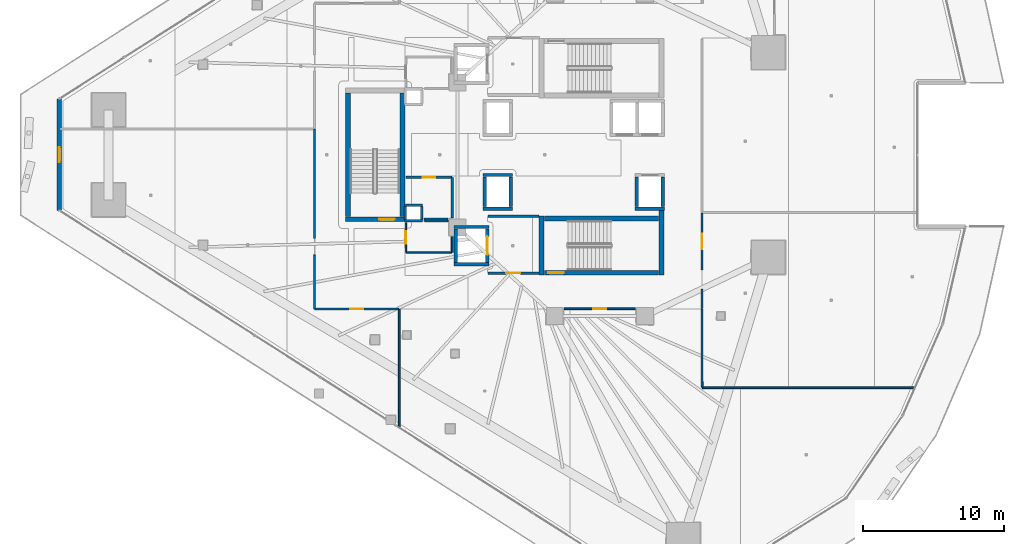
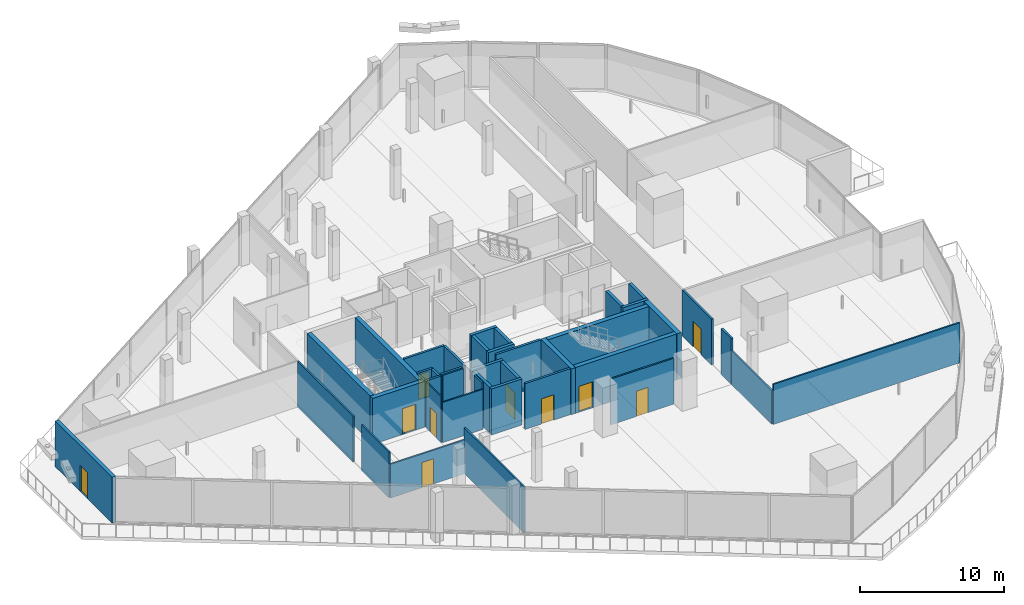
# One storey, part 29 of 45: 41 walls, 10 doors, 10 openings.
"""IFC4 building model written with IfcOpenShell, lengths in metres."""

from ifc_helpers import new_model, si_unit, direction, frame, frame_2d, origin, place, context, subcontext, project, spatial, rectangle, extrude, material, layer, layer_set, type_object, element, fill, save


model = new_model("IFC4")

# Units and contexts
model_context = context("Model", 3, precision=1e-05, world=origin(), true_north=direction((0.0, 1.0)))
body_context = subcontext(model_context, "Body", "Model", "MODEL_VIEW")
ifc_project = project(units=[si_unit("LENGTHUNIT", "METRE"), si_unit("AREAUNIT", "SQUARE_METRE"), si_unit("VOLUMEUNIT", "CUBIC_METRE"), si_unit("PLANEANGLEUNIT", "RADIAN"), si_unit("MASSUNIT", "GRAM", prefix="KILO")], contexts=[model_context])

# Site, building, storey
site_placement = place(None, origin())
site = spatial("IfcSite", under=ifc_project, at=site_placement, CompositionType="ELEMENT")
building_placement = place(site_placement, origin())
building = spatial("IfcBuilding", under=site, at=building_placement, Name="Qorvath Tower", CompositionType="ELEMENT")
storey_placement = place(building_placement, frame((0.0, 0.0, 95.39990234375)))
storey = spatial("IfcBuildingStorey", under=building, at=storey_placement, Name="L21", CompositionType="ELEMENT", Elevation=95.39990234375)

# Walls
ifc_material_1 = material(Name="Gypsum shaftliner on steel studs", Category="steel")
ifc_layer_1 = layer(ifc_material_1, 0.179931640625)
ifc_layer_set_1 = layer_set([ifc_layer_1], Name="FW-LOBBY")
wall_type_1 = type_object("IfcWallType", Name="FW-LOBBY", PredefinedType="PARTITIONING", material=ifc_layer_set_1)
for number, where, z_axis, x_axis, name in (
    (1, (-32.989990234375, -4.675048828125, 0.0), (0.0, 0.0, 1.0), (-1.0, 0.0, 0.0), "MEP Riser Shaft Enclosure Wall S-L21-S"),
    (2, (-34.260009765625, -3.594970703125, 0.0), (0.0, 0.0, 1.0), (1.0, 0.0, 0.0), "MEP Riser Shaft Enclosure Wall S-L21-N"),
):
    element("IfcWall", number, at=place(storey_placement, frame(where, z_axis=z_axis, x_axis=x_axis)), inside=storey, type_object=wall_type_1, Name=name, PredefinedType="PARTITIONING", context=body_context, shape_type="SweptSolid", body=[
        extrude(rectangle(XDim=1.27001953125, YDim=0.179931640625, at=frame_2d((0.635009765625, 0.0))), origin(), (0.0, 0.0, 1.0), 3.900146484375),
    ])
for number, where, z_axis, x_axis, name in (
    (3, (-34.205078125, -4.610107421875, 0.0), (0.0, 0.0, 1.0), (0.0, 1.0, 0.0), "MEP Riser Shaft Enclosure Wall S-L21-W"),
    (4, (-33.044921875, -3.659912109375, 0.0), (0.0, 0.0, 1.0), (0.0, -1.0, 0.0), "MEP Riser Shaft Enclosure Wall S-L21-E"),
):
    element("IfcWall", number, at=place(storey_placement, frame(where, z_axis=z_axis, x_axis=x_axis)), inside=storey, type_object=wall_type_1, Name=name, PredefinedType="PARTITIONING", context=body_context, shape_type="SweptSolid", body=[
        extrude(rectangle(XDim=0.9501953125, YDim=0.179931640625, at=frame_2d((0.47509765625, 0.0))), origin(), (0.0, 0.0, 1.0), 3.900146484375),
    ])

# Wall, opening, door
wall_1_placement = place(storey_placement, frame((-28.35498046875, -8.39990234375, 0.0), z_axis=(0.0, 0.0, 1.0), x_axis=(1.0, 0.0, 0.0)))
wall_1 = element("IfcWall", 5, at=wall_1_placement, inside=storey, type_object=wall_type_1, Name="Interior Partition IW-T1-L21-003", PredefinedType="PARTITIONING", context=body_context, shape_type="SweptSolid", body=[
    extrude(rectangle(XDim=3.6220703125, YDim=0.179931640625, at=frame_2d((1.81103515625, 0.0))), origin(), (0.0, 0.0, 1.0), 3.900146484375),
])
opening_1_placement = place(wall_1_placement, frame((1.31103515625, 0.0, 0.0)))
opening_1 = element("IfcOpeningElement", 6, at=opening_1_placement, cuts=wall_1, Name="Opening D-T1-L21-10", PredefinedType="OPENING", context=body_context, shape_type="SweptSolid", body=[
    extrude(rectangle(XDim=1.0, YDim=2.14990234375, at=frame_2d((0.5, 1.074951171875))), frame((0.0, 0.10009765625, 0.0), z_axis=(0.0, -1.0, 0.0), x_axis=(1.0, 0.0, 0.0)), (0.0, 0.0, 1.0), 0.199951171875),
])
ifc_material_2 = material(Name="Painted galvanised hollow metal", Category="steel")
door_type_1 = type_object("IfcDoorType", Name="FD-60", OperationType="NOTDEFINED", PredefinedType="DOOR", material=ifc_material_2)
door_1_placement = place(opening_1_placement, origin())
door_1 = element("IfcDoor", 7, at=door_1_placement, inside=storey, type_object=door_type_1, Name="Lobby Fire Service Elevator South Door D-T1-L21-10", OperationType="SINGLE_SWING_LEFT", OverallHeight=2.14990234375, OverallWidth=1.0, PredefinedType="DOOR", context=body_context, shape_type="SweptSolid", body=[
    extrude(rectangle(XDim=1.0, YDim=2.14990234375, at=frame_2d((0.5, 1.074951171875))), frame((0.0, 0.02490234375, 0.0), z_axis=(0.0, -1.0, 0.0), x_axis=(1.0, 0.0, 0.0)), (0.0, 0.0, 1.0), 0.050048828125),
])
fill(opening_1, door_1)

# Walls
wall_2_placement = place(storey_placement, frame((-24.73291015625, -4.35009765625, 0.0), z_axis=(0.0, 0.0, 1.0), x_axis=(-1.0, 0.0, 0.0)))
element("IfcWall", 8, at=wall_2_placement, inside=storey, type_object=wall_type_1, Name="Interior Partition IW-T1-L21-004", PredefinedType="PARTITIONING", context=body_context, shape_type="SweptSolid", body=[
    extrude(rectangle(XDim=3.6220703125, YDim=0.179931640625, at=frame_2d((1.81103515625, 0.0))), origin(), (0.0, 0.0, 1.0), 3.900146484375),
])
wall_3_placement = place(storey_placement, frame((-32.8798828125, -4.56005859375, 0.0), z_axis=(0.0, 0.0, 1.0), x_axis=(1.0, 0.0, 0.0)))
element("IfcWall", 9, at=wall_3_placement, inside=storey, type_object=wall_type_1, Name="Interior Partition IW-T1-L21-013", PredefinedType="PARTITIONING", context=body_context, shape_type="SweptSolid", body=[
    extrude(rectangle(XDim=1.71484375, YDim=0.179931640625, at=frame_2d((0.857421875, 0.0))), origin(), (0.0, 0.0, 1.0), 3.900146484375),
])
wall_4_placement = place(storey_placement, frame((-30.8798828125, -4.485107421875, 0.0), z_axis=(0.0, 0.0, 1.0), x_axis=(0.0, 1.0, 0.0)))
element("IfcWall", 10, at=wall_4_placement, inside=storey, type_object=wall_type_1, Name="Interior Partition IW-T1-L21-014", PredefinedType="PARTITIONING", context=body_context, shape_type="SweptSolid", body=[
    extrude(rectangle(XDim=2.860107421875, YDim=0.179931640625, at=frame_2d((1.43017578125, 0.0))), origin(), (0.0, 0.0, 1.0), 3.900146484375),
])

# Wall, opening, door
wall_5_placement = place(storey_placement, frame((-30.90478515625, -1.60009765625, 0.0), z_axis=(0.0, 0.0, 1.0), x_axis=(-1.0, 0.0, 0.0)))
wall_5 = element("IfcWall", 11, at=wall_5_placement, inside=storey, type_object=wall_type_1, Name="Interior Partition IW-T1-L21-015", PredefinedType="PARTITIONING", context=body_context, shape_type="SweptSolid", body=[
    extrude(rectangle(XDim=3.25, YDim=0.179931640625, at=frame_2d((1.625, 0.0))), origin(), (0.0, 0.0, 1.0), 3.900146484375),
])
opening_2_placement = place(wall_5_placement, frame((1.18505859375, 0.0, 0.0)))
opening_2 = element("IfcOpeningElement", 12, at=opening_2_placement, cuts=wall_5, Name="Opening D-T1-L21-03", PredefinedType="OPENING", context=body_context, shape_type="SweptSolid", body=[
    extrude(rectangle(XDim=0.8798828125, YDim=2.10009765625, at=frame_2d((0.43994140625, 1.050048828125))), frame((0.0, 0.10009765625, 0.0), z_axis=(0.0, -1.0, 0.0), x_axis=(1.0, 0.0, 0.0)), (0.0, 0.0, 1.0), 0.199951171875),
])
ifc_material_3 = material(Name="Painted galvanised hollow metal", Category="steel")
door_type_2 = type_object("IfcDoorType", Name="FD-60N", OperationType="NOTDEFINED", PredefinedType="DOOR", material=ifc_material_3)
door_2_placement = place(opening_2_placement, origin())
door_2 = element("IfcDoor", 13, at=door_2_placement, inside=storey, type_object=door_type_2, Name="Core electrical and cleaner room L21 Door D-T1-L21-03", OperationType="SINGLE_SWING_RIGHT", OverallHeight=2.10009765625, OverallWidth=0.8798828125, PredefinedType="DOOR", context=body_context, shape_type="SweptSolid", body=[
    extrude(rectangle(XDim=0.8798828125, YDim=2.10009765625, at=frame_2d((0.43994140625, 1.050048828125))), frame((0.0, 0.02490234375, 0.0), z_axis=(0.0, -1.0, 0.0), x_axis=(1.0, 0.0, 0.0)), (0.0, 0.0, 1.0), 0.050048828125),
])
fill(opening_2, door_2)

ifc_material_4 = material(Name="Double acoustic gypsum board on steel studs", Category="steel")
ifc_layer_2 = layer(ifc_material_4, 0.159912109375)
ifc_layer_set_2 = layer_set([ifc_layer_2], Name="IW-ACOUSTIC-160")
wall_type_2 = type_object("IfcWallType", Name="IW-ACOUSTIC-160", PredefinedType="PARTITIONING", material=ifc_layer_set_2)
wall_6_placement = place(storey_placement, frame((-13.14208984375, -4.127685546875, 0.0), z_axis=(0.0, 0.0, 1.0), x_axis=(0.001559405529, -0.999998784126, 0.0)))
wall_6 = element("IfcWall", 14, at=wall_6_placement, inside=storey, type_object=wall_type_2, Name="Interior Partition IW-T1-L21-023", PredefinedType="PARTITIONING", context=body_context, shape_type="SweptSolid", body=[
    extrude(rectangle(XDim=4.070556640625, YDim=0.159912109375, at=frame_2d((2.03515625, 0.0))), origin(), (0.0, 0.0, 1.0), 3.900146484375),
])
opening_3_placement = place(wall_6_placement, frame((1.4853515625, 0.0, 0.0)))
opening_3 = element("IfcOpeningElement", 15, at=opening_3_placement, cuts=wall_6, Name="Opening D-T1-L21-11", PredefinedType="OPENING", context=body_context, shape_type="SweptSolid", body=[
    extrude(rectangle(XDim=1.10009765625, YDim=2.14990234375, at=frame_2d((0.550048828125, 1.074951171875))), frame((0.0, 0.08984375, 0.0), z_axis=(0.0, -1.0, 0.0), x_axis=(1.0, 0.0, 0.0)), (0.0, 0.0, 1.0), 0.179931640625),
])
ifc_material_5 = material(Name="Anodised aluminium acoustic framed glass", Category="aluminium")
door_type_3 = type_object("IfcDoorType", Name="D-03", OperationType="NOTDEFINED", PredefinedType="DOOR", material=ifc_material_5)
door_3_placement = place(opening_3_placement, origin())
door_3 = element("IfcDoor", 16, at=door_3_placement, inside=storey, type_object=door_type_3, Name="L21-03 Digital Visualization Suite Door D-T1-L21-11", OperationType="SINGLE_SWING_RIGHT", OverallHeight=2.14990234375, OverallWidth=1.10009765625, PredefinedType="DOOR", context=body_context, shape_type="SweptSolid", body=[
    extrude(rectangle(XDim=1.10009765625, YDim=2.14990234375, at=frame_2d((0.550048828125, 1.074951171875))), frame((0.0, 0.02490234375, 0.0), z_axis=(0.0, -1.0, 0.0), x_axis=(1.0, 0.0, 0.0)), (0.0, 0.0, 1.0), 0.050048828125),
])
fill(opening_3, door_3)

# Walls
wall_7_placement = place(storey_placement, frame((-13.133544921875, -9.527099609375, 0.0), z_axis=(0.0, 0.0, 1.0), x_axis=(0.001563040814, -0.999998778451, 0.0)))
element("IfcWall", 17, at=wall_7_placement, inside=storey, type_object=wall_type_2, Name="Interior Partition IW-T1-L21-024", PredefinedType="PARTITIONING", context=body_context, shape_type="SweptSolid", body=[
    extrude(rectangle(XDim=1.40576171875, YDim=0.159912109375, at=frame_2d((0.702880859375, 0.0))), origin(), (0.0, 0.0, 1.0), 3.900146484375),
])
ifc_material_6 = material(Name="Gypsum board on metal studs with mineral wool", Category="gypsum")
ifc_layer_3 = layer(ifc_material_6, 0.125)
ifc_layer_set_3 = layer_set([ifc_layer_3], Name="IW-PART-125")
wall_type_3 = type_object("IfcWallType", Name="IW-PART-125", PredefinedType="PARTITIONING", material=ifc_layer_set_3)
wall_8_placement = place(storey_placement, frame((1.906005859375, -16.548583984375, 0.0), z_axis=(0.0, 0.0, 1.0), x_axis=(-0.99999999352, 0.000113843351, 0.0)))
element("IfcWall", 18, at=wall_8_placement, inside=storey, type_object=wall_type_3, Name="Interior Partition IW-T1-L21-018", PredefinedType="PARTITIONING", context=body_context, shape_type="SweptSolid", body=[
    extrude(rectangle(XDim=15.01171875, YDim=0.125, at=frame_2d((7.505859375, 0.0))), origin(), (0.0, 0.0, 1.0), 3.4130859375),
])
wall_9_placement = place(storey_placement, frame((-13.130615234375, -16.52197265625, 0.0), z_axis=(0.0, 0.0, 1.0), x_axis=(-0.002062303644, 0.99999787345, 0.0)))
element("IfcWall", 19, at=wall_9_placement, inside=storey, type_object=wall_type_3, Name="Interior Partition IW-T1-L21-019", PredefinedType="PARTITIONING", context=body_context, shape_type="SweptSolid", body=[
    extrude(rectangle(XDim=5.56396484375, YDim=0.125, at=frame_2d((2.781982421875, 0.0))), origin(), (0.0, 0.0, 1.0), 2.8701171875),
])

# Wall, opening, door
wall_10_placement = place(storey_placement, frame((-17.864990234375, -10.934814453125, 0.0), z_axis=(0.0, 0.0, 1.0), x_axis=(-0.999999989566, 0.000144459959, 0.0)))
wall_10 = element("IfcWall", 20, at=wall_10_placement, inside=storey, type_object=wall_type_3, Name="Interior Partition IW-T1-L21-020", PredefinedType="PARTITIONING", context=body_context, shape_type="SweptSolid", body=[
    extrude(rectangle(XDim=5.070068359375, YDim=0.125, at=frame_2d((2.53515625, 0.0))), origin(), (0.0, 0.0, 1.0), 3.900146484375),
])
opening_4_placement = place(wall_10_placement, frame((2.06005859375, 0.0, 0.0)))
opening_4 = element("IfcOpeningElement", 21, at=opening_4_placement, cuts=wall_10, Name="Opening D-T1-L21-04", PredefinedType="OPENING", context=body_context, shape_type="SweptSolid", body=[
    extrude(rectangle(XDim=0.949951171875, YDim=2.14990234375, at=frame_2d((0.47509765625, 1.074951171875))), frame((0.0, 0.072509765625, 0.0), z_axis=(0.0, -1.0, 0.0), x_axis=(1.0, 0.0, 0.0)), (0.0, 0.0, 1.0), 0.14501953125),
])
ifc_material_7 = material(Name="Solid-core American white oak veneer", Category="wood")
door_type_4 = type_object("IfcDoorType", Name="D-01", OperationType="NOTDEFINED", PredefinedType="DOOR", material=ifc_material_7)
door_4_placement = place(opening_4_placement, origin())
door_4 = element("IfcDoor", 22, at=door_4_placement, inside=storey, type_object=door_type_4, Name="L21-02 Project Collaboration Workspace Door D-T1-L21-04", OperationType="SINGLE_SWING_LEFT", OverallHeight=2.14990234375, OverallWidth=0.949951171875, PredefinedType="DOOR", context=body_context, shape_type="SweptSolid", body=[
    extrude(rectangle(XDim=0.949951171875, YDim=2.14990234375, at=frame_2d((0.47509765625, 1.074951171875))), frame((0.0, 0.02490234375, 0.0), z_axis=(0.0, -1.0, 0.0), x_axis=(1.0, 0.0, 0.0)), (0.0, 0.0, 1.0), 0.050048828125),
])
fill(opening_4, door_4)

# Wall
wall_11_placement = place(storey_placement, frame((-34.64990234375, -10.98291015625, 0.0), z_axis=(0.0, 0.0, 1.0), x_axis=(0.0, -1.0, 0.0)))
element("IfcWall", 23, at=wall_11_placement, inside=storey, type_object=wall_type_3, Name="Interior Partition IW-T1-L21-021", PredefinedType="PARTITIONING", context=body_context, shape_type="SweptSolid", body=[
    extrude(rectangle(XDim=8.325439453125, YDim=0.125, at=frame_2d((4.16259765625, 0.0))), origin(), (0.0, 0.0, 1.0), 3.900146484375),
])

# Wall, opening, door
wall_12_placement = place(storey_placement, frame((-40.633056640625, -10.9580078125, 0.0), z_axis=(0.0, 0.0, 1.0), x_axis=(1.0, 0.0, 0.0)))
wall_12 = element("IfcWall", 24, at=wall_12_placement, inside=storey, type_object=wall_type_3, Name="Interior Partition IW-T1-L21-032", PredefinedType="PARTITIONING", context=body_context, shape_type="SweptSolid", body=[
    extrude(rectangle(XDim=5.949951171875, YDim=0.125, at=frame_2d((2.97509765625, 0.0))), origin(), (0.0, 0.0, 1.0), 2.8701171875),
])
opening_5_placement = place(wall_12_placement, frame((2.5, 0.0, 0.0)))
opening_5 = element("IfcOpeningElement", 25, at=opening_5_placement, cuts=wall_12, Name="Opening D-T1-L21-07", PredefinedType="OPENING", context=body_context, shape_type="SweptSolid", body=[
    extrude(rectangle(XDim=0.949951171875, YDim=2.14990234375, at=frame_2d((0.47509765625, 1.074951171875))), frame((0.0, 0.072509765625, 0.0), z_axis=(0.0, -1.0, 0.0), x_axis=(1.0, 0.0, 0.0)), (0.0, 0.0, 1.0), 0.14501953125),
])
door_5_placement = place(opening_5_placement, origin())
door_5 = element("IfcDoor", 26, at=door_5_placement, inside=storey, type_object=door_type_4, Name="L21-06 Engineering Documentation Suite Door D-T1-L21-07", OperationType="SINGLE_SWING_RIGHT", OverallHeight=2.14990234375, OverallWidth=0.949951171875, PredefinedType="DOOR", context=body_context, shape_type="SweptSolid", body=[
    extrude(rectangle(XDim=0.949951171875, YDim=2.14990234375, at=frame_2d((0.47509765625, 1.074951171875))), frame((0.0, 0.02490234375, 0.0), z_axis=(0.0, -1.0, 0.0), x_axis=(1.0, 0.0, 0.0)), (0.0, 0.0, 1.0), 0.050048828125),
])
fill(opening_5, door_5)

# Walls
wall_13_placement = place(storey_placement, frame((-40.657958984375, -10.93310546875, 0.0), z_axis=(0.0, 0.0, 1.0), x_axis=(0.0, 1.0, 0.0)))
element("IfcWall", 27, at=wall_13_placement, inside=storey, type_object=wall_type_3, Name="Interior Partition IW-T1-L21-033", PredefinedType="PARTITIONING", context=body_context, shape_type="SweptSolid", body=[
    extrude(rectangle(XDim=3.819091796875, YDim=0.125, at=frame_2d((1.90966796875, 0.0))), origin(), (0.0, 0.0, 1.0), 3.900146484375),
])
wall_14_placement = place(storey_placement, frame((-40.657958984375, -5.93994140625, 0.0), z_axis=(0.0, 0.0, 1.0), x_axis=(0.0, 1.0, 0.0)))
element("IfcWall", 28, at=wall_14_placement, inside=storey, type_object=wall_type_3, Name="Interior Partition IW-T1-L21-034", PredefinedType="PARTITIONING", context=body_context, shape_type="SweptSolid", body=[
    extrude(rectangle(XDim=7.74560546875, YDim=0.125, at=frame_2d((3.872802734375, 0.0))), origin(), (0.0, 0.0, 1.0), 3.900146484375),
])
ifc_material_8 = material(Name="Moisture-resistant cement board on metal studs", Category="gypsum")
ifc_layer_4 = layer(ifc_material_8, 0.110107421875)
ifc_layer_set_4 = layer_set([ifc_layer_4], Name="IW-WC-110")
wall_type_4 = type_object("IfcWallType", Name="IW-WC-110", PredefinedType="PARTITIONING", material=ifc_layer_set_4)
wall_15_placement = place(storey_placement, frame((-34.15478515625, -6.949951171875, 0.0), z_axis=(0.0, 0.0, 1.0), x_axis=(1.0, 0.0, 0.0)))
element("IfcWall", 29, at=wall_15_placement, inside=storey, type_object=wall_type_4, Name="Interior Partition IW-T1-L21-009", PredefinedType="PARTITIONING", context=body_context, shape_type="SweptSolid", body=[
    extrude(rectangle(XDim=3.25, YDim=0.110107421875, at=frame_2d((1.625, 0.0))), origin(), (0.0, 0.0, 1.0), 3.4130859375),
])
wall_16_placement = place(storey_placement, frame((-30.8798828125, -6.925048828125, 0.0), z_axis=(0.0, 0.0, 1.0), x_axis=(0.0, 1.0, 0.0)))
element("IfcWall", 30, at=wall_16_placement, inside=storey, type_object=wall_type_4, Name="Interior Partition IW-T1-L21-010", PredefinedType="PARTITIONING", context=body_context, shape_type="SweptSolid", body=[
    extrude(rectangle(XDim=1.110107421875, YDim=0.110107421875, at=frame_2d((0.55517578125, 0.0))), origin(), (0.0, 0.0, 1.0), 3.900146484375),
])
wall_17_placement = place(storey_placement, frame((-31.1650390625, -4.699951171875, 0.0), z_axis=(0.0, 0.0, 1.0), x_axis=(-1.0, 0.0, 0.0)))
element("IfcWall", 31, at=wall_17_placement, inside=storey, type_object=wall_type_4, Name="Interior Partition IW-T1-L21-011", PredefinedType="PARTITIONING", context=body_context, shape_type="SweptSolid", body=[
    extrude(rectangle(XDim=1.662353515625, YDim=0.110107421875, at=frame_2d((0.8310546875, 0.0))), origin(), (0.0, 0.0, 1.0), 3.900146484375),
])

# Wall, opening, door
wall_18_placement = place(storey_placement, frame((-34.179931640625, -4.840087890625, 0.0), z_axis=(0.0, 0.0, 1.0), x_axis=(0.0, -1.0, 0.0)))
wall_18 = element("IfcWall", 32, at=wall_18_placement, inside=storey, type_object=wall_type_4, Name="Interior Partition IW-T1-L21-012", PredefinedType="PARTITIONING", context=body_context, shape_type="SweptSolid", body=[
    extrude(rectangle(XDim=2.0849609375, YDim=0.110107421875, at=frame_2d((1.04248046875, 0.0))), origin(), (0.0, 0.0, 1.0), 3.900146484375),
])
opening_6_placement = place(wall_18_placement, frame((0.6025390625, 0.0, 0.0)))
opening_6 = element("IfcOpeningElement", 33, at=opening_6_placement, cuts=wall_18, Name="Opening D-T1-L21-02", PredefinedType="OPENING", context=body_context, shape_type="SweptSolid", body=[
    extrude(rectangle(XDim=0.8798828125, YDim=2.10009765625, at=frame_2d((0.43994140625, 1.050048828125))), frame((0.0, 0.06494140625, 0.0), z_axis=(0.0, -1.0, 0.0), x_axis=(1.0, 0.0, 0.0)), (0.0, 0.0, 1.0), 0.130126953125),
])
ifc_material_9 = material(Name="Solid-core oak with acoustic drop seal", Category="wood")
door_type_5 = type_object("IfcDoorType", Name="D-02", OperationType="NOTDEFINED", PredefinedType="DOOR", material=ifc_material_9)
door_6_placement = place(opening_6_placement, origin())
door_6 = element("IfcDoor", 34, at=door_6_placement, inside=storey, type_object=door_type_5, Name="WC All-Gender South L21 Door D-T1-L21-02", OperationType="SINGLE_SWING_LEFT", OverallHeight=2.10009765625, OverallWidth=0.8798828125, PredefinedType="DOOR", context=body_context, shape_type="SweptSolid", body=[
    extrude(rectangle(XDim=0.8798828125, YDim=2.10009765625, at=frame_2d((0.43994140625, 1.050048828125))), frame((0.0, 0.02490234375, 0.0), z_axis=(0.0, -1.0, 0.0), x_axis=(1.0, 0.0, 0.0)), (0.0, 0.0, 1.0), 0.050048828125),
])
fill(opening_6, door_6)

# Walls
ifc_material_10 = material(Name="Concrete C60/75", Category="concrete")
ifc_layer_5 = layer(ifc_material_10, 0.260009765625)
ifc_layer_set_5 = layer_set([ifc_layer_5], Name="SW-SHAFT")
wall_type_5 = type_object("IfcWallType", Name="SW-SHAFT", PredefinedType="SHEAR", material=ifc_layer_set_5)
for number, where, z_axis, x_axis, name in (
    (35, (-28.260009765625, -7.77001953125, 0.0), (0.0, 0.0, 1.0), (-1.0, 0.0, 0.0), "Hoistway Wall FSAE-2 L21 S"),
    (36, (-30.739990234375, -5.1298828125, 0.0), (0.0, 0.0, 1.0), (1.0, 0.0, 0.0), "Hoistway Wall FSAE-2 L21 N"),
):
    element("IfcWall", number, at=place(storey_placement, frame(where, z_axis=z_axis, x_axis=x_axis)), inside=storey, type_object=wall_type_5, Name=name, PredefinedType="SHEAR", context=body_context, shape_type="SweptSolid", body=[
        extrude(rectangle(XDim=2.47998046875, YDim=0.239990234375, at=frame_2d((1.239990234375, 0.0))), origin(), (0.0, 0.0, 1.0), 3.900146484375),
    ])
wall_19_placement = place(storey_placement, frame((-30.6201171875, -7.637939453125, 0.0), z_axis=(0.0, 0.0, 1.0), x_axis=(0.0, 1.0, 0.0)))
element("IfcWall", 37, at=wall_19_placement, inside=storey, type_object=wall_type_5, Name="Hoistway Wall FSAE-2 L21 W", PredefinedType="SHEAR", context=body_context, shape_type="SweptSolid", body=[
    extrude(rectangle(XDim=2.3759765625, YDim=0.239990234375, at=frame_2d((1.18798828125, 0.0))), origin(), (0.0, 0.0, 1.0), 3.900146484375),
])

# Wall, opening, door
wall_20_placement = place(storey_placement, frame((-28.3798828125, -5.261962890625, 0.0), z_axis=(0.0, 0.0, 1.0), x_axis=(0.0, -1.0, 0.0)))
wall_20 = element("IfcWall", 38, at=wall_20_placement, inside=storey, type_object=wall_type_5, Name="Hoistway Wall FSAE-2 L21 E", PredefinedType="SHEAR", context=body_context, shape_type="SweptSolid", body=[
    extrude(rectangle(XDim=2.3759765625, YDim=0.239990234375, at=frame_2d((1.18798828125, 0.0))), origin(), (0.0, 0.0, 1.0), 3.900146484375),
])
opening_7_placement = place(wall_20_placement, frame((0.5380859375, 0.0, 0.0)))
opening_7 = element("IfcOpeningElement", 39, at=opening_7_placement, cuts=wall_20, Name="Opening LD-FSAE-2-L21", PredefinedType="OPENING", context=body_context, shape_type="SweptSolid", body=[
    extrude(rectangle(XDim=1.300048828125, YDim=2.300048828125, at=frame_2d((0.64990234375, 1.14990234375))), frame((0.0, 0.1298828125, 0.0), z_axis=(0.0, -1.0, 0.0), x_axis=(1.0, 0.0, 0.0)), (0.0, 0.0, 1.0), 0.260009765625),
])
ifc_material_11 = material(Name="Brushed stainless steel AISI 316", Category="steel")
door_type_6 = type_object("IfcDoorType", Name="LD-02", OperationType="NOTDEFINED", PredefinedType="DOOR", material=ifc_material_11)
door_7_placement = place(opening_7_placement, origin())
door_7 = element("IfcDoor", 40, at=door_7_placement, inside=storey, type_object=door_type_6, Name="Elevator Landing Sliding Door LD-FSAE-2-L21", OperationType="DOUBLE_DOOR_SLIDING", OverallHeight=2.300048828125, OverallWidth=1.300048828125, PredefinedType="DOOR", context=body_context, shape_type="SweptSolid", body=[
    extrude(rectangle(XDim=1.300048828125, YDim=2.300048828125, at=frame_2d((0.64990234375, 1.14990234375))), frame((0.0, 0.02490234375, 0.0), z_axis=(0.0, -1.0, 0.0), x_axis=(1.0, 0.0, 0.0)), (0.0, 0.0, 1.0), 0.050048828125),
])
fill(opening_7, door_7)

# Walls
for number, where, z_axis, x_axis, name in (
    (41, (-26.610107421875, -3.820068359375, 0.0), (0.0, 0.0, 1.0), (-1.0, 0.0, 0.0), "Hoistway Wall PS-2 L21 S"),
    (42, (-28.68994140625, -1.429931640625, 0.0), (0.0, 0.0, 1.0), (1.0, 0.0, 0.0), "Hoistway Wall PS-2 L21 N"),
):
    element("IfcWall", number, at=place(storey_placement, frame(where, z_axis=z_axis, x_axis=x_axis)), inside=storey, type_object=wall_type_5, Name=name, PredefinedType="SHEAR", context=body_context, shape_type="SweptSolid", body=[
        extrude(rectangle(XDim=2.079833984375, YDim=0.239990234375, at=frame_2d((1.0400390625, 0.0))), origin(), (0.0, 0.0, 1.0), 3.900146484375),
    ])
for number, where, z_axis, x_axis, name in (
    (43, (-28.570068359375, -3.68798828125, 0.0), (0.0, 0.0, 1.0), (0.0, 1.0, 0.0), "Hoistway Wall PS-2 L21 W"),
    (44, (-26.72998046875, -1.56201171875, 0.0), (0.0, 0.0, 1.0), (0.0, -1.0, 0.0), "Hoistway Wall PS-2 L21 E"),
):
    element("IfcWall", number, at=place(storey_placement, frame(where, z_axis=z_axis, x_axis=x_axis)), inside=storey, type_object=wall_type_5, Name=name, PredefinedType="SHEAR", context=body_context, shape_type="SweptSolid", body=[
        extrude(rectangle(XDim=2.1259765625, YDim=0.239990234375, at=frame_2d((1.06298828125, 0.0))), origin(), (0.0, 0.0, 1.0), 3.900146484375),
    ])
wall_21_placement = place(storey_placement, frame((-15.81005859375, -3.820068359375, 0.0), z_axis=(0.0, 0.0, 1.0), x_axis=(-1.0, 0.0, 0.0)))
element("IfcWall", 45, at=wall_21_placement, inside=storey, type_object=wall_type_5, Name="Hoistway Wall PL-2 L21 S", PredefinedType="SHEAR", context=body_context, shape_type="SweptSolid", body=[
    extrude(rectangle(XDim=2.079833984375, YDim=0.239990234375, at=frame_2d((1.0400390625, 0.0))), origin(), (0.0, 0.0, 1.0), 3.900146484375),
])
for number, where, z_axis, x_axis, name in (
    (46, (-17.77001953125, -3.68798828125, 0.0), (0.0, 0.0, 1.0), (0.0, 1.0, 0.0), "Hoistway Wall PL-2 L21 W"),
    (47, (-15.929931640625, -1.56201171875, 0.0), (0.0, 0.0, 1.0), (0.0, -1.0, 0.0), "Hoistway Wall PL-2 L21 E"),
):
    element("IfcWall", number, at=place(storey_placement, frame(where, z_axis=z_axis, x_axis=x_axis)), inside=storey, type_object=wall_type_5, Name=name, PredefinedType="SHEAR", context=body_context, shape_type="SweptSolid", body=[
        extrude(rectangle(XDim=2.1259765625, YDim=0.239990234375, at=frame_2d((1.06298828125, 0.0))), origin(), (0.0, 0.0, 1.0), 3.900146484375),
    ])
ifc_material_12 = material(Name="Concrete C60/75", Category="concrete")
ifc_layer_6 = layer(ifc_material_12, 0.35009765625)
ifc_layer_set_6 = layer_set([ifc_layer_6], Name="SW-STAIR")
wall_type_6 = type_object("IfcWallType", Name="SW-STAIR", PredefinedType="SHEAR", material=ifc_layer_set_6)
wall_22_placement = place(storey_placement, frame((-24.52490234375, -4.340087890625, 0.0), z_axis=(0.0, 0.0, 1.0), x_axis=(0.0, -1.0, 0.0)))
element("IfcWall", 48, at=wall_22_placement, inside=storey, type_object=wall_type_6, Name="Stair TS2 Shear Wall L21 NEAR", PredefinedType="SHEAR", context=body_context, shape_type="SweptSolid", body=[
    extrude(rectangle(XDim=4.2099609375, YDim=0.35009765625, at=frame_2d((2.10498046875, 0.0))), origin(), (0.0, 0.0, 1.0), 3.900146484375),
])
wall_23_placement = place(storey_placement, frame((-16.02490234375, -8.550048828125, 0.0), z_axis=(0.0, 0.0, 1.0), x_axis=(0.0, 1.0, 0.0)))
element("IfcWall", 49, at=wall_23_placement, inside=storey, type_object=wall_type_6, Name="Stair TS2 Shear Wall L21 FAR", PredefinedType="SHEAR", context=body_context, shape_type="SweptSolid", body=[
    extrude(rectangle(XDim=4.610107421875, YDim=0.35009765625, at=frame_2d((2.30517578125, 0.0))), origin(), (0.0, 0.0, 1.0), 3.900146484375),
])

# Wall, opening, door
wall_24_placement = place(storey_placement, frame((-24.3349609375, -8.375, 0.0), z_axis=(0.0, 0.0, 1.0), x_axis=(1.0, 0.0, 0.0)))
wall_24 = element("IfcWall", 50, at=wall_24_placement, inside=storey, type_object=wall_type_6, Name="Stair TS2 Shear Wall L21 LEFT", PredefinedType="SHEAR", context=body_context, shape_type="SweptSolid", body=[
    extrude(rectangle(XDim=8.119873046875, YDim=0.35009765625, at=frame_2d((4.06005859375, 0.0))), origin(), (0.0, 0.0, 1.0), 3.900146484375),
])
opening_8_placement = place(wall_24_placement, frame((0.280029296875, 0.0, 0.0)))
opening_8 = element("IfcOpeningElement", 51, at=opening_8_placement, cuts=wall_24, Name="Opening D-TS2-L21", PredefinedType="OPENING", context=body_context, shape_type="SweptSolid", body=[
    extrude(rectangle(XDim=1.10009765625, YDim=2.199951171875, at=frame_2d((0.550048828125, 1.10009765625))), frame((0.0, 0.18505859375, 0.0), z_axis=(0.0, -1.0, 0.0), x_axis=(1.0, 0.0, 0.0)), (0.0, 0.0, 1.0), 0.3701171875),
])
ifc_material_13 = material(Name="Painted galvanised hollow metal", Category="steel")
door_type_7 = type_object("IfcDoorType", Name="FD-90", OperationType="NOTDEFINED", PredefinedType="DOOR", material=ifc_material_13)
door_8_placement = place(opening_8_placement, origin())
door_8 = element("IfcDoor", 52, at=door_8_placement, inside=storey, type_object=door_type_7, Name="Stair TS2 Fire Door L21", OperationType="SINGLE_SWING_RIGHT", OverallHeight=2.199951171875, OverallWidth=1.10009765625, PredefinedType="DOOR", context=body_context, shape_type="SweptSolid", body=[
    extrude(rectangle(XDim=1.10009765625, YDim=2.199951171875, at=frame_2d((0.550048828125, 1.10009765625))), frame((0.0, 0.02490234375, 0.0), z_axis=(0.0, -1.0, 0.0), x_axis=(1.0, 0.0, 0.0)), (0.0, 0.0, 1.0), 0.050048828125),
])
fill(opening_8, door_8)

# Wall
wall_25_placement = place(storey_placement, frame((-16.215087890625, -4.514892578125, 0.0), z_axis=(0.0, 0.0, 1.0), x_axis=(-1.0, 0.0, 0.0)))
element("IfcWall", 53, at=wall_25_placement, inside=storey, type_object=wall_type_6, Name="Stair TS2 Shear Wall L21 RIGHT", PredefinedType="SHEAR", context=body_context, shape_type="SweptSolid", body=[
    extrude(rectangle(XDim=8.119873046875, YDim=0.35009765625, at=frame_2d((4.06005859375, 0.0))), origin(), (0.0, 0.0, 1.0), 3.900146484375),
])

# Wall, opening, door
wall_26_placement = place(storey_placement, frame((-38.4599609375, -4.574951171875, 0.0), z_axis=(0.0, 0.0, 1.0), x_axis=(1.0, 0.0, 0.0)))
wall_26 = element("IfcWall", 54, at=wall_26_placement, inside=storey, type_object=wall_type_6, Name="Stair TS3 Shear Wall L21 NEAR", PredefinedType="SHEAR", context=body_context, shape_type="SweptSolid", body=[
    extrude(rectangle(XDim=4.2099609375, YDim=0.35009765625, at=frame_2d((2.10498046875, 0.0))), origin(), (0.0, 0.0, 1.0), 3.900146484375),
])
opening_9_placement = place(wall_26_placement, frame((2.389892578125, 0.0, 0.0)))
opening_9 = element("IfcOpeningElement", 55, at=opening_9_placement, cuts=wall_26, Name="Opening D-TS3-L21", PredefinedType="OPENING", context=body_context, shape_type="SweptSolid", body=[
    extrude(rectangle(XDim=1.10009765625, YDim=2.199951171875, at=frame_2d((0.550048828125, 1.10009765625))), frame((0.0, 0.18505859375, 0.0), z_axis=(0.0, -1.0, 0.0), x_axis=(1.0, 0.0, 0.0)), (0.0, 0.0, 1.0), 0.3701171875),
])
door_9_placement = place(opening_9_placement, origin())
door_9 = element("IfcDoor", 56, at=door_9_placement, inside=storey, type_object=door_type_7, Name="Stair TS3 Fire Door L21", OperationType="SINGLE_SWING_RIGHT", OverallHeight=2.199951171875, OverallWidth=1.10009765625, PredefinedType="DOOR", context=body_context, shape_type="SweptSolid", body=[
    extrude(rectangle(XDim=1.10009765625, YDim=2.199951171875, at=frame_2d((0.550048828125, 1.10009765625))), frame((0.0, 0.02490234375, 0.0), z_axis=(0.0, -1.0, 0.0), x_axis=(1.0, 0.0, 0.0)), (0.0, 0.0, 1.0), 0.050048828125),
])
fill(opening_9, door_9)

# Walls
for number, where, z_axis, x_axis, name in (
    (57, (-34.425048828125, -4.385009765625, 0.0), (0.0, 0.0, 1.0), (0.0, 1.0, 0.0), "Stair TS3 Shear Wall L21 LEFT"),
    (58, (-38.284912109375, 4.385009765625, 0.0), (0.0, 0.0, 1.0), (0.0, -1.0, 0.0), "Stair TS3 Shear Wall L21 RIGHT"),
):
    element("IfcWall", number, at=place(storey_placement, frame(where, z_axis=z_axis, x_axis=x_axis)), inside=storey, type_object=wall_type_6, Name=name, PredefinedType="SHEAR", context=body_context, shape_type="SweptSolid", body=[
        extrude(rectangle(XDim=8.77001953125, YDim=0.35009765625, at=frame_2d((4.385009765625, 0.0))), origin(), (0.0, 0.0, 1.0), 3.900146484375),
    ])

# Wall, opening, door
ifc_material_14 = material(Name="Precast concrete C45/55", Category="concrete")
ifc_layer_7 = layer(ifc_material_14, 0.300048828125)
ifc_layer_set_7 = layer_set([ifc_layer_7], Name="WL-EW-LOG-300")
wall_type_7 = type_object("IfcWallType", Name="WL-EW-LOG-300", PredefinedType="SOLIDWALL", material=ifc_layer_set_7)
wall_27_placement = place(storey_placement, frame((-58.793212890625, -3.957763671875, 0.0), z_axis=(0.0, 0.0, 1.0), x_axis=(0.0, 1.0, 0.0)))
wall_27 = element("IfcWall", 59, at=wall_27_placement, inside=storey, type_object=wall_type_7, Name="Tower Precast Loggia Wall L21-1.1", PredefinedType="SOLIDWALL", context=body_context, shape_type="SweptSolid", body=[
    extrude(rectangle(XDim=7.91552734375, YDim=0.300048828125, at=frame_2d((3.957763671875, 0.0))), origin(), (0.0, 0.0, 1.0), 3.900146484375),
])
opening_10_placement = place(wall_27_placement, frame((3.432861328125, 0.0, 0.0)))
opening_10 = element("IfcOpeningElement", 60, at=opening_10_placement, cuts=wall_27, Name="Opening ED-L21-01", PredefinedType="OPENING", context=body_context, shape_type="SweptSolid", body=[
    extrude(rectangle(XDim=1.050048828125, YDim=2.199951171875, at=frame_2d((0.52490234375, 1.10009765625))), frame((0.0, 0.16015625, 0.0), z_axis=(0.0, -1.0, 0.0), x_axis=(1.0, 0.0, 0.0)), (0.0, 0.0, 1.0), 0.320068359375),
])
ifc_material_15 = material(Name="Thermally broken aluminium glazed door", Category="aluminium")
door_type_8 = type_object("IfcDoorType", Name="ED-LOG", OperationType="NOTDEFINED", PredefinedType="DOOR", material=ifc_material_15)
door_10_placement = place(opening_10_placement, origin())
door_10 = element("IfcDoor", 61, at=door_10_placement, inside=storey, type_object=door_type_8, Name="L21 Recessed Loggia Access Door 1", OperationType="SINGLE_SWING_RIGHT", OverallHeight=2.199951171875, OverallWidth=1.050048828125, PredefinedType="DOOR", context=body_context, shape_type="SweptSolid", body=[
    extrude(rectangle(XDim=1.050048828125, YDim=2.199951171875, at=frame_2d((0.52490234375, 1.10009765625))), frame((0.0, 0.02490234375, 0.0), z_axis=(0.0, -1.0, 0.0), x_axis=(1.0, 0.0, 0.0)), (0.0, 0.0, 1.0), 0.050048828125),
])
fill(opening_10, door_10)

save(model, "model.ifc")
